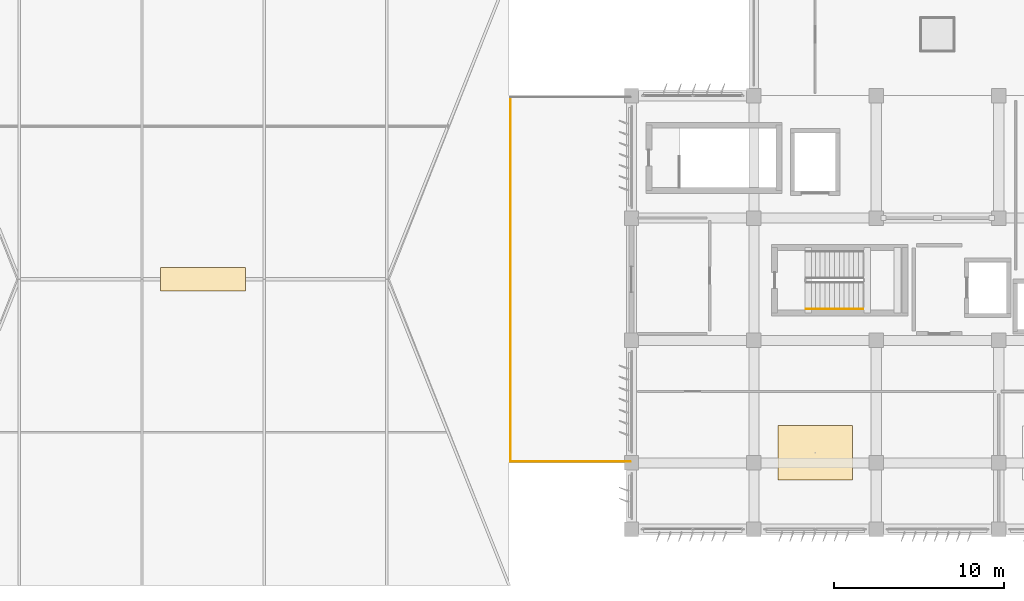
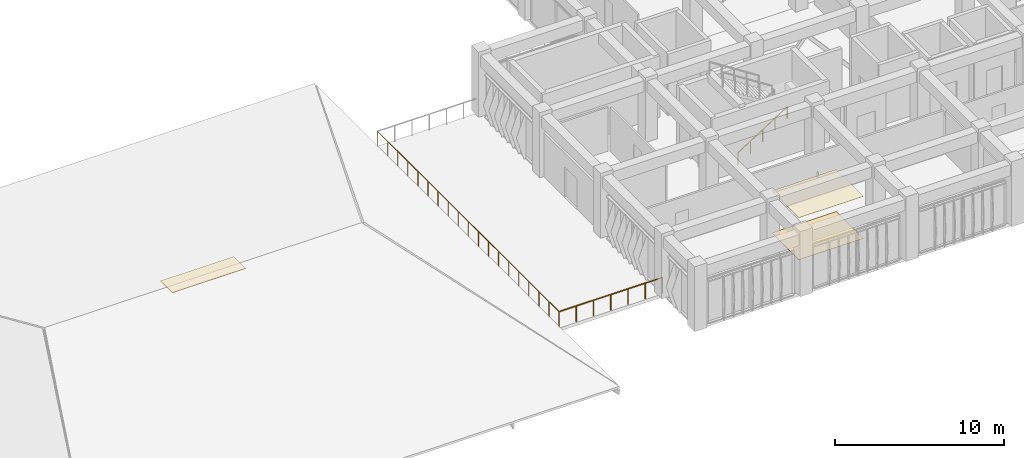
# One storey, part 49 of 55: 3 coverings, 3 railings, 1 element without a shape of its own.
"""IFC4 building model written with IfcOpenShell, lengths in metres."""

from ifc_helpers import new_model, si_unit, direction, frame, origin, origin_2d, place, context, subcontext, project, spatial, rectangle, circle, extrude, material, layer, layer_set, type_object, element, aggregate, save


model = new_model("IFC4")

# Units and contexts
model_context = context("Model", 3, precision=1e-05, world=origin(), true_north=direction((0.0, 1.0)))
body_context = subcontext(model_context, "Body", "Model", "MODEL_VIEW")
ifc_project = project(units=[si_unit("LENGTHUNIT", "METRE"), si_unit("AREAUNIT", "SQUARE_METRE"), si_unit("VOLUMEUNIT", "CUBIC_METRE"), si_unit("PLANEANGLEUNIT", "RADIAN"), si_unit("MASSUNIT", "GRAM", prefix="KILO")], contexts=[model_context])

# Site, building, storey
site_placement = place(None, origin())
site = spatial("IfcSite", under=ifc_project, at=site_placement, CompositionType="ELEMENT")
building_placement = place(site_placement, origin())
building = spatial("IfcBuilding", under=site, at=building_placement, Name="Kazehaya Institute of Natural Sciences", CompositionType="ELEMENT")
storey_placement = place(building_placement, frame((0.0, 0.0, 15.1201171875)))
storey = spatial("IfcBuildingStorey", under=building, at=storey_placement, Name="L03", CompositionType="ELEMENT", Elevation=15.1201171875)

# Coverings
ifc_material_1 = material(Name="Mineral-fibre acoustic ceiling tile")
ifc_layer_1 = layer(ifc_material_1, 0.02490234375, Name="Mineral-fibre acoustic ceiling tile")
ifc_layer_set_1 = layer_set([ifc_layer_1], Name="Mineral-fibre acoustic ceiling tile")
covering_type_1 = type_object("IfcCoveringType", Name="COV-CEIL-AC", PredefinedType="CEILING", material=ifc_layer_set_1)
covering_1_placement = place(storey_placement, frame((65.40234375, 14.59619140625, 3.02734375), z_axis=(0.0, 0.0, 1.0), x_axis=(1.0, 0.0, 0.0)))
element("IfcCovering", 1, at=covering_1_placement, inside=storey, type_object=covering_type_1, Name="L03 Environmental Genomics Laboratory ceiling 32", PredefinedType="CEILING", context=body_context, shape_type="SweptSolid", body=[
    extrude(rectangle(XDim=4.39990234375, YDim=3.199951171875, at=origin_2d()), origin(), (0.0, 0.0, 1.0), 0.02490234375),
])
ifc_material_2 = material(Name="Seamless chemical-resistant epoxy flooring")
ifc_layer_2 = layer(ifc_material_2, 0.014892578125, Name="Seamless chemical-resistant epoxy flooring")
ifc_layer_set_2 = layer_set([ifc_layer_2], Name="Seamless chemical-resistant epoxy flooring")
covering_type_2 = type_object("IfcCoveringType", Name="COV-FLR-EPX", PredefinedType="FLOORING", material=ifc_layer_set_2)
covering_2_placement = place(storey_placement, frame((65.40234375, 14.59619140625, 0.0), z_axis=(0.0, 0.0, 1.0), x_axis=(1.0, 0.0, 0.0)))
element("IfcCovering", 2, at=covering_2_placement, inside=storey, type_object=covering_type_2, Name="L03 Environmental Genomics Laboratory finish flooring 32", PredefinedType="FLOORING", context=body_context, shape_type="SweptSolid", body=[
    extrude(rectangle(XDim=4.39990234375, YDim=3.199951171875, at=origin_2d()), origin(), (0.0, 0.0, 1.0), 0.014892578125),
])

# Roof, covering
ifc_material_3 = material(Name="Copper standing-seam roofing", Category="copper")
roof_type = type_object("IfcRoofType", Name="RF-HIPPED", PredefinedType="HIP_ROOF", material=ifc_material_3)
roof_placement = place(storey_placement, origin())
roof = element("IfcRoof", 3, at=roof_placement, inside=storey, type_object=roof_type, Name="Hipped copper roof ROOF-VOL3", PredefinedType="HIP_ROOF")
ifc_layer_3 = layer(ifc_material_3, 0.0400390625, Name="Copper standing-seam roofing", Category="copper")
ifc_layer_set_3 = layer_set([ifc_layer_3], Name="Copper standing-seam roofing")
covering_type_3 = type_object("IfcCoveringType", Name="COV-ROOF-CU", PredefinedType="ROOFING", material=ifc_layer_set_3)
covering_3_placement = place(storey_placement, frame((29.39990234375, 24.800048828125, 3.58984375), z_axis=(0.0, 0.0, 1.0), x_axis=(1.0, 0.0, 0.0)))
covering_3 = element("IfcCovering", 4, at=covering_3_placement, type_object=covering_type_3, Name="L03 standing-seam roof covering 3", PredefinedType="ROOFING", context=body_context, shape_type="SweptSolid", body=[
    extrude(rectangle(XDim=5.0, YDim=1.39990234375, at=origin_2d()), origin(), (0.0, 0.0, 1.0), 0.0400390625),
])
aggregate(roof, [covering_3])

# Railings
ifc_material_4 = material(Name="Precast limestone and bronze balustrade", Category="masonry")
railing_type_1 = type_object("IfcRailingType", Name="RL-GUARD-TER", PredefinedType="BALUSTRADE", material=ifc_material_4)
railing_1_placement = place(storey_placement, frame((47.47998046875, 14.080078125, 0.0)))
element("IfcRailing", 5, at=railing_1_placement, inside=storey, type_object=railing_type_1, Name="L03 terrace balustrade GRD-L03-013", PredefinedType="BALUSTRADE", context=body_context, shape_type="SweptSolid", body=[
    extrude(circle(Radius=0.02392578125, at=origin_2d()), frame((0.0, 0.0, 1.1259765625), z_axis=(1.0, 0.0, 0.0), x_axis=(0.0, 1.0, 0.0)), (0.0, 0.0, 1.0), 7.0400390625),
    extrude(circle(Radius=0.02099609375, at=origin_2d()), origin(), (0.0, 0.0, 1.0), 1.101806640625),
    extrude(circle(Radius=0.02099609375, at=origin_2d()), frame((1.17333984375, 0.0, 0.0)), (0.0, 0.0, 1.0), 1.101806640625),
    extrude(circle(Radius=0.02099609375, at=origin_2d()), frame((2.3466796875, 0.0, 0.0)), (0.0, 0.0, 1.0), 1.101806640625),
    extrude(circle(Radius=0.02099609375, at=origin_2d()), frame((3.52001953125, 0.0, 0.0)), (0.0, 0.0, 1.0), 1.101806640625),
    extrude(circle(Radius=0.02099609375, at=origin_2d()), frame((4.693359375, 0.0, 0.0)), (0.0, 0.0, 1.0), 1.101806640625),
    extrude(circle(Radius=0.02099609375, at=origin_2d()), frame((5.86669921875, 0.0, 0.0)), (0.0, 0.0, 1.0), 1.101806640625),
    extrude(circle(Radius=0.02099609375, at=origin_2d()), frame((7.0400390625, 0.0, 0.0)), (0.0, 0.0, 1.0), 1.101806640625),
])
railing_2_placement = place(storey_placement, frame((47.47998046875, 35.52001953125, 0.0)))
element("IfcRailing", 6, at=railing_2_placement, inside=storey, type_object=railing_type_1, Name="L03 terrace balustrade GRD-L03-015", PredefinedType="BALUSTRADE", context=body_context, shape_type="SweptSolid", body=[
    extrude(circle(Radius=0.02392578125, at=origin_2d()), frame((0.0, 0.0, 1.1259765625), z_axis=(0.0, -1.0, 0.0), x_axis=(1.0, 0.0, 0.0)), (0.0, 0.0, 1.0), 21.43994140625),
    extrude(circle(Radius=0.02099609375, at=origin_2d()), origin(), (0.0, 0.0, 1.0), 1.101806640625),
    extrude(circle(Radius=0.02099609375, at=origin_2d()), frame((0.0, -1.191162109375, 0.0)), (0.0, 0.0, 1.0), 1.101806640625),
    extrude(circle(Radius=0.02099609375, at=origin_2d()), frame((0.0, -2.38232421875, 0.0)), (0.0, 0.0, 1.0), 1.101806640625),
    extrude(circle(Radius=0.02099609375, at=origin_2d()), frame((0.0, -3.5732421875, 0.0)), (0.0, 0.0, 1.0), 1.101806640625),
    extrude(circle(Radius=0.02099609375, at=origin_2d()), frame((0.0, -4.764404296875, 0.0)), (0.0, 0.0, 1.0), 1.101806640625),
    extrude(circle(Radius=0.02099609375, at=origin_2d()), frame((0.0, -5.95556640625, 0.0)), (0.0, 0.0, 1.0), 1.101806640625),
    extrude(circle(Radius=0.02099609375, at=origin_2d()), frame((0.0, -7.146728515625, 0.0)), (0.0, 0.0, 1.0), 1.101806640625),
    extrude(circle(Radius=0.02099609375, at=origin_2d()), frame((0.0, -8.337646484375, 0.0)), (0.0, 0.0, 1.0), 1.101806640625),
    extrude(circle(Radius=0.02099609375, at=origin_2d()), frame((0.0, -9.52880859375, 0.0)), (0.0, 0.0, 1.0), 1.101806640625),
    extrude(circle(Radius=0.02099609375, at=origin_2d()), frame((0.0, -10.719970703125, 0.0)), (0.0, 0.0, 1.0), 1.101806640625),
    extrude(circle(Radius=0.02099609375, at=origin_2d()), frame((0.0, -11.9111328125, 0.0)), (0.0, 0.0, 1.0), 1.101806640625),
    extrude(circle(Radius=0.02099609375, at=origin_2d()), frame((0.0, -13.102294921875, 0.0)), (0.0, 0.0, 1.0), 1.101806640625),
    extrude(circle(Radius=0.02099609375, at=origin_2d()), frame((0.0, -14.293212890625, 0.0)), (0.0, 0.0, 1.0), 1.101806640625),
    extrude(circle(Radius=0.02099609375, at=origin_2d()), frame((0.0, -15.484375, 0.0)), (0.0, 0.0, 1.0), 1.101806640625),
    extrude(circle(Radius=0.02099609375, at=origin_2d()), frame((0.0, -16.675537109375, 0.0)), (0.0, 0.0, 1.0), 1.101806640625),
    extrude(circle(Radius=0.02099609375, at=origin_2d()), frame((0.0, -17.86669921875, 0.0)), (0.0, 0.0, 1.0), 1.101806640625),
    extrude(circle(Radius=0.02099609375, at=origin_2d()), frame((0.0, -19.0576171875, 0.0)), (0.0, 0.0, 1.0), 1.101806640625),
    extrude(circle(Radius=0.02099609375, at=origin_2d()), frame((0.0, -20.248779296875, 0.0)), (0.0, 0.0, 1.0), 1.101806640625),
    extrude(circle(Radius=0.02099609375, at=origin_2d()), frame((0.0, -21.43994140625, 0.0)), (0.0, 0.0, 1.0), 1.101806640625),
])
ifc_material_5 = material(Name="Brushed stainless steel handrail", Category="steel")
railing_type_2 = type_object("IfcRailingType", Name="RL-STAIR-HND", PredefinedType="HANDRAIL", material=ifc_material_5)
railing_3_placement = place(storey_placement, frame((64.860107421875, 23.050048828125, 0.179931640625)))
element("IfcRailing", 7, at=railing_3_placement, inside=storey, type_object=railing_type_2, Name="L03 ST-1 stair handrail 1", PredefinedType="HANDRAIL", context=body_context, shape_type="SweptSolid", body=[
    extrude(circle(Radius=0.02392578125, at=origin_2d()), frame((0.0, 0.0, 0.8759765625), z_axis=(0.841178475377, 0.0, 0.540757591313), x_axis=(0.0, 1.0, 0.0)), (0.0, 0.0, 1.0), 3.994140625),
    extrude(circle(Radius=0.02099609375, at=origin_2d()), origin(), (0.0, 0.0, 1.0), 0.851806640625),
    extrude(circle(Radius=0.02099609375, at=origin_2d()), frame((0.83984375, 0.0, 0.5400390625)), (0.0, 0.0, 1.0), 0.851806640625),
    extrude(circle(Radius=0.02099609375, at=origin_2d()), frame((1.679931640625, 0.0, 1.080078125)), (0.0, 0.0, 1.0), 0.851806640625),
    extrude(circle(Radius=0.02099609375, at=origin_2d()), frame((2.52001953125, 0.0, 1.619873046875)), (0.0, 0.0, 1.0), 0.851806640625),
    extrude(circle(Radius=0.02099609375, at=origin_2d()), frame((3.35986328125, 0.0, 2.159912109375)), (0.0, 0.0, 1.0), 0.851806640625),
])

save(model, "model.ifc")
